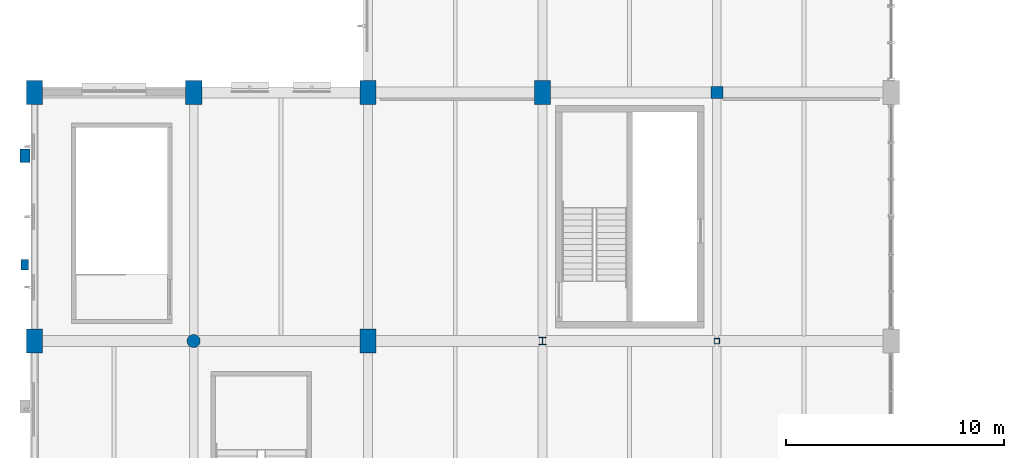
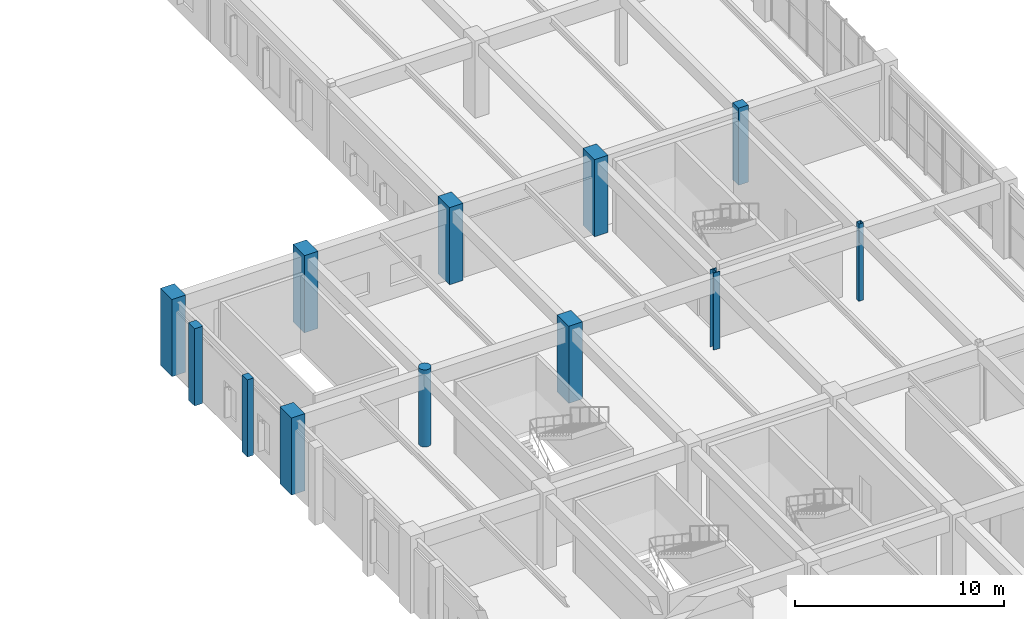
# One storey, part 3 of 80: 12 columns.
"""IFC4 building model written with IfcOpenShell, lengths in metres."""

from ifc_helpers import new_model, si_unit, direction, frame, origin, origin_2d, place, context, subcontext, project, spatial, rectangle, hollow_rectangle, circle, i_section, extrude, material, material_profile, profile_set, type_object, element, save


model = new_model("IFC4")

# Units and contexts
model_context = context("Model", 3, precision=1e-05, world=origin(), true_north=direction((0.0, 1.0)))
body_context = subcontext(model_context, "Body", "Model", "MODEL_VIEW")
ifc_project = project(units=[si_unit("LENGTHUNIT", "METRE"), si_unit("AREAUNIT", "SQUARE_METRE"), si_unit("VOLUMEUNIT", "CUBIC_METRE"), si_unit("PLANEANGLEUNIT", "RADIAN"), si_unit("MASSUNIT", "GRAM", prefix="KILO"), si_unit("POWERUNIT", "WATT"), si_unit("THERMODYNAMICTEMPERATUREUNIT", "KELVIN")], contexts=[model_context])

# Site, building, storey
site_placement = place(None, origin())
site = spatial("IfcSite", under=ifc_project, at=site_placement, CompositionType="ELEMENT")
building_placement = place(site_placement, origin())
building = spatial("IfcBuilding", under=site, at=building_placement, Name="Kelmbourne Parkland Aquatics Centre", CompositionType="ELEMENT")
storey_placement = place(building_placement, frame((0.0, 0.0, 10.199951171875)))
storey = spatial("IfcBuildingStorey", under=building, at=storey_placement, Name="L02", CompositionType="ELEMENT", Elevation=10.199951171875)

# Columns
ifc_material_1 = material(Name="Concrete C40/50", Category="concrete")
ifc_material_profile_1 = material_profile(ifc_material_1, rectangle(XDim=0.75, YDim=1.10009765625, at=origin_2d()), Name="RC 750x1100")
ifc_profile_set_1 = profile_set([ifc_material_profile_1], Name="Concrete C40/50")
column_type_1 = type_object("IfcColumnType", Name="COL-C03", PredefinedType="COLUMN", material=ifc_profile_set_1)
for number, where, z_axis, x_axis, name in (
    (1, (0.699951171875, 35.0, 0.0), (0.0, 0.0, 1.0), (1.0, 0.0, 0.0), "Structural column A-05 (L02)"),
    (2, (0.699951171875, 46.39990234375, 0.0), (0.0, 0.0, 1.0), (1.0, 0.0, 0.0), "Structural column A-06 (L02)"),
    (3, (8.0, 46.39990234375, 0.0), (0.0, 0.0, 1.0), (1.0, 0.0, 0.0), "Structural column B-06 (L02)"),
    (4, (16.0, 35.0, 0.0), (0.0, 0.0, 1.0), (1.0, 0.0, 0.0), "Structural column C-05 (L02)"),
    (5, (16.0, 46.39990234375, 0.0), (0.0, 0.0, 1.0), (1.0, 0.0, 0.0), "Structural column C-06 (L02)"),
    (6, (24.0, 46.39990234375, 0.0), (0.0, 0.0, 1.0), (1.0, 0.0, 0.0), "Structural column D-06 (L02)"),
):
    element("IfcColumn", number, at=place(storey_placement, frame(where, z_axis=z_axis, x_axis=x_axis)), inside=storey, type_object=column_type_1, Name=name, PredefinedType="COLUMN", context=body_context, shape_type="SweptSolid", body=[
        extrude(rectangle(XDim=0.75, YDim=1.10009765625, at=origin_2d()), origin(), (0.0, 0.0, 1.0), 4.5),
    ])
ifc_material_profile_2 = material_profile(ifc_material_1, rectangle(XDim=0.550048828125, YDim=0.550048828125, at=origin_2d()), Name="RC 550x550")
ifc_profile_set_2 = profile_set([ifc_material_profile_2], Name="Concrete C40/50")
column_type_2 = type_object("IfcColumnType", Name="COL-C07", PredefinedType="COLUMN", material=ifc_profile_set_2)
column_1_placement = place(storey_placement, frame((32.0, 46.39990234375, 0.0), z_axis=(0.0, 0.0, 1.0), x_axis=(1.0, 0.0, 0.0)))
element("IfcColumn", 7, at=column_1_placement, inside=storey, type_object=column_type_2, Name="Structural column E-06 (L02)", PredefinedType="COLUMN", context=body_context, shape_type="SweptSolid", body=[
    extrude(rectangle(XDim=0.550048828125, YDim=0.550048828125, at=origin_2d()), origin(), (0.0, 0.0, 1.0), 4.5),
])
ifc_material_profile_3 = material_profile(ifc_material_1, circle(Radius=0.300048828125, at=origin_2d()), Name="RC D600")
ifc_profile_set_3 = profile_set([ifc_material_profile_3], Name="Concrete C40/50")
column_type_3 = type_object("IfcColumnType", Name="COL-C10", PredefinedType="COLUMN", material=ifc_profile_set_3)
column_2_placement = place(storey_placement, frame((8.0, 35.0, 0.0), z_axis=(0.0, 0.0, 1.0), x_axis=(1.0, 0.0, 0.0)))
element("IfcColumn", 8, at=column_2_placement, inside=storey, type_object=column_type_3, Name="Structural column B-05 (L02)", PredefinedType="COLUMN", context=body_context, shape_type="SweptSolid", body=[
    extrude(circle(Radius=0.300048828125, at=origin_2d()), origin(), (0.0, 0.0, 1.0), 4.5),
])
ifc_material_2 = material(Name="Welded plate steel AS/NZS 3678 Grade 350", Category="steel")
ifc_material_profile_4 = material_profile(ifc_material_2, i_section(OverallWidth=0.35009765625, OverallDepth=0.35205078125, WebThickness=0.02001953125, FlangeThickness=0.031982421875, at=origin_2d()), Name="350WC230")
ifc_profile_set_4 = profile_set([ifc_material_profile_4], Name="Welded plate steel AS/NZS 3678 Grade 350")
column_type_4 = type_object("IfcColumnType", Name="COL-C13", PredefinedType="COLUMN", material=ifc_profile_set_4)
column_3_placement = place(storey_placement, frame((24.0, 35.0, 0.0), z_axis=(0.0, 0.0, 1.0), x_axis=(1.0, 0.0, 0.0)))
element("IfcColumn", 9, at=column_3_placement, inside=storey, type_object=column_type_4, Name="Structural column D-05 (L02)", PredefinedType="COLUMN", context=body_context, shape_type="SweptSolid", body=[
    extrude(i_section(OverallWidth=0.35009765625, OverallDepth=0.35205078125, WebThickness=0.02001953125, FlangeThickness=0.031982421875, at=origin_2d()), origin(), (0.0, 0.0, 1.0), 4.5),
])
ifc_material_3 = material(Name="Cold-formed hollow steel AS/NZS 1163 C350L0", Category="steel")
ifc_material_profile_5 = material_profile(ifc_material_3, hollow_rectangle(XDim=0.25, YDim=0.25, WallThickness=0.012451171875, at=origin_2d()), Name="SHS 250x250x12.5")
ifc_profile_set_5 = profile_set([ifc_material_profile_5], Name="Cold-formed hollow steel AS/NZS 1163 C350L0")
column_type_5 = type_object("IfcColumnType", Name="COL-C23", PredefinedType="COLUMN", material=ifc_profile_set_5)
column_4_placement = place(storey_placement, frame((32.0, 35.0, 0.0), z_axis=(0.0, 0.0, 1.0), x_axis=(1.0, 0.0, 0.0)))
element("IfcColumn", 10, at=column_4_placement, inside=storey, type_object=column_type_5, Name="Structural column E-05 (L02)", PredefinedType="COLUMN", context=body_context, shape_type="SweptSolid", body=[
    extrude(hollow_rectangle(XDim=0.25, YDim=0.25, WallThickness=0.012451171875, at=origin_2d()), origin(), (0.0, 0.0, 1.0), 4.5),
])
ifc_material_4 = material(Name="Clay brick masonry AS 3700 M12", Category="masonry")
ifc_material_profile_6 = material_profile(ifc_material_4, rectangle(XDim=0.35009765625, YDim=0.5, at=origin_2d()), Name="PIL 350x500")
ifc_profile_set_6 = profile_set([ifc_material_profile_6], Name="Clay brick masonry AS 3700 M12")
column_type_6 = type_object("IfcColumnType", Name="PIL-PL1", PredefinedType="PILASTER", material=ifc_profile_set_6)
column_5_placement = place(storey_placement, frame((0.260009765625, 38.5, 0.0), z_axis=(0.0, 0.0, 1.0), x_axis=(1.0, 0.0, 0.0)))
element("IfcColumn", 11, at=column_5_placement, inside=storey, type_object=column_type_6, Name="Amsterdam School engaged brick buttress W-007 (L02)", PredefinedType="PILASTER", context=body_context, shape_type="SweptSolid", body=[
    extrude(rectangle(XDim=0.35009765625, YDim=0.5, at=origin_2d()), origin(), (0.0, 0.0, 1.0), 4.5),
])
ifc_material_profile_7 = material_profile(ifc_material_4, rectangle(XDim=0.449951171875, YDim=0.60009765625, at=origin_2d()), Name="PIL 450x600")
ifc_profile_set_7 = profile_set([ifc_material_profile_7], Name="Clay brick masonry AS 3700 M12")
column_type_7 = type_object("IfcColumnType", Name="PIL-PL2", PredefinedType="PILASTER", material=ifc_profile_set_7)
column_6_placement = place(storey_placement, frame((0.260009765625, 43.5, 0.0), z_axis=(0.0, 0.0, 1.0), x_axis=(1.0, 0.0, 0.0)))
element("IfcColumn", 12, at=column_6_placement, inside=storey, type_object=column_type_7, Name="Amsterdam School engaged brick buttress W-008 (L02)", PredefinedType="PILASTER", context=body_context, shape_type="SweptSolid", body=[
    extrude(rectangle(XDim=0.449951171875, YDim=0.60009765625, at=origin_2d()), origin(), (0.0, 0.0, 1.0), 4.5),
])

save(model, "model.ifc")
